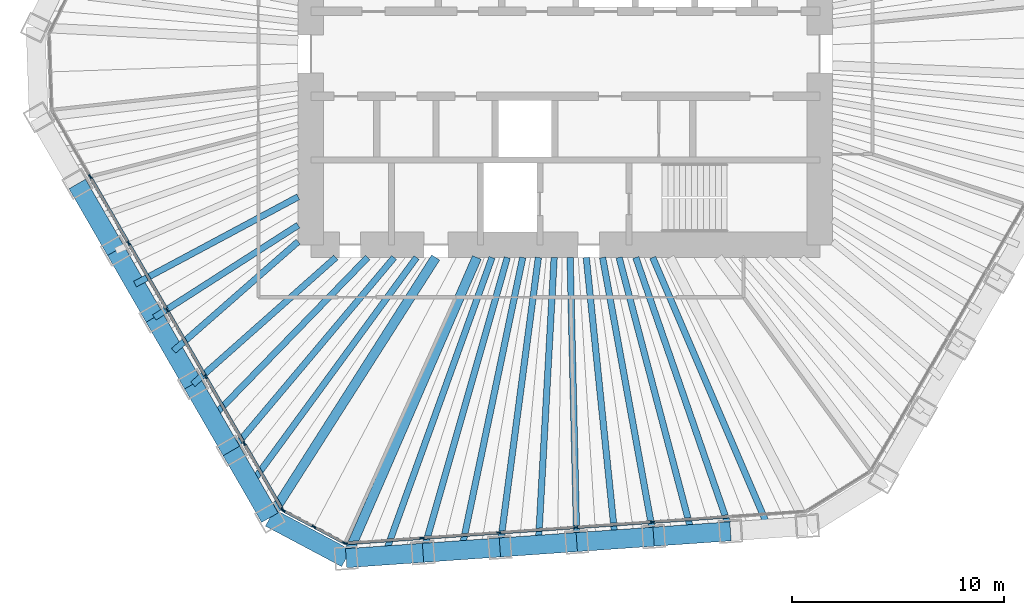
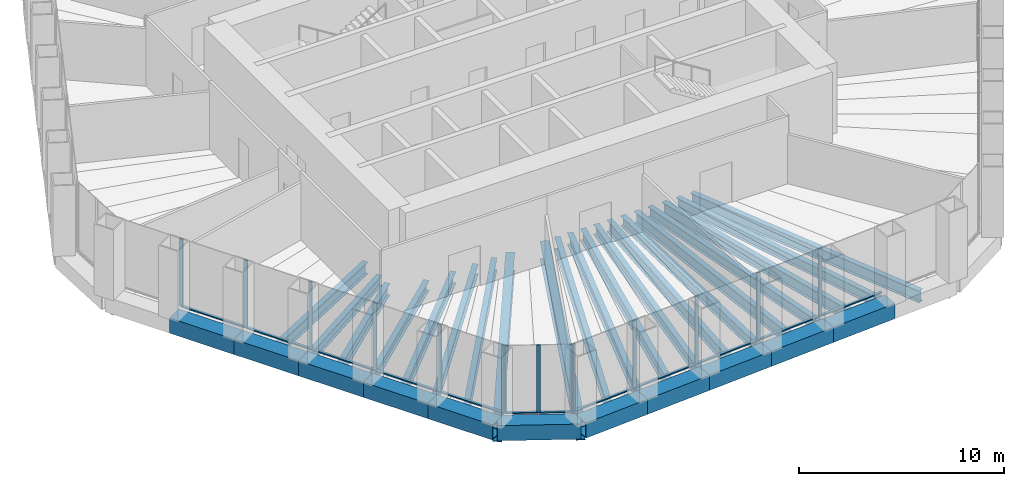
# One storey, part 2 of 14: 31 beams, 26 members, 3 elements without a shape of their own.
"""IFC4 building model written with IfcOpenShell, lengths in metres."""

from ifc_helpers import new_model, si_unit, direction, frame, origin, origin_2d, place, context, subcontext, project, spatial, rectangle, hollow_rectangle, i_section, extrude, material, material_profile, profile_set, type_object, element, aggregate, save


model = new_model("IFC4")

# Units and contexts
model_context = context("Model", 3, precision=1e-05, world=origin(), true_north=direction((0.0, 1.0)))
body_context = subcontext(model_context, "Body", "Model", "MODEL_VIEW")
ifc_project = project(units=[si_unit("LENGTHUNIT", "METRE"), si_unit("AREAUNIT", "SQUARE_METRE"), si_unit("VOLUMEUNIT", "CUBIC_METRE"), si_unit("PLANEANGLEUNIT", "RADIAN"), si_unit("MASSUNIT", "GRAM", prefix="KILO")], contexts=[model_context])

# Site, building, storey
site_placement = place(None, origin())
site = spatial("IfcSite", under=ifc_project, at=site_placement, CompositionType="ELEMENT")
building_placement = place(site_placement, origin())
building = spatial("IfcBuilding", under=site, at=building_placement, Name="Qingtian Harvest Tower", CompositionType="ELEMENT")
storey_placement = place(building_placement, frame((0.0, 0.0, 201.39990234375)))
storey = spatial("IfcBuildingStorey", under=building, at=storey_placement, Name="L43", CompositionType="ELEMENT", Elevation=201.39990234375)

# Beams
ifc_material_1 = material(Name="Steel SM570MC", Category="steel")
ifc_material_profile_1 = material_profile(ifc_material_1, i_section(OverallWidth=0.449951171875, OverallDepth=1.10009765625, WebThickness=0.02197265625, FlangeThickness=0.044921875, at=origin_2d()), Name="H1100x450x22x45")
ifc_profile_set_1 = profile_set([ifc_material_profile_1], Name="Steel SM570MC")
beam_type_1 = type_object("IfcBeamType", Name="Corner floor beam FB8 H1100x450x22x45", PredefinedType="BEAM", material=ifc_profile_set_1)
beam_1_placement = place(storey_placement, frame((-10.33837890625, -23.779052734375, -0.719970703125), z_axis=(0.398714563353, 0.917075077063, 0.0), x_axis=(-0.917075077063, 0.398714563353, 0.0)))
element("IfcBeam", 1, at=beam_1_placement, inside=storey, type_object=beam_type_1, Name="Floor beam FB8 S6", PredefinedType="BEAM", context=body_context, shape_type="SweptSolid", body=[
    extrude(i_section(OverallWidth=0.449951171875, OverallDepth=1.10009765625, WebThickness=0.02197265625, FlangeThickness=0.044921875, at=origin_2d()), origin(), (0.0, 0.0, 1.0), 15.461181640625),
])
beam_2_placement = place(storey_placement, frame((-13.9326171875, -21.8681640625, -0.719970703125), z_axis=(0.537326103898, 0.8433745657, 0.0), x_axis=(-0.8433745657, 0.537326103898, 0.0)))
element("IfcBeam", 2, at=beam_2_placement, inside=storey, type_object=beam_type_1, Name="Floor beam FB8 SW0", PredefinedType="BEAM", context=body_context, shape_type="SweptSolid", body=[
    extrude(i_section(OverallWidth=0.449951171875, OverallDepth=1.10009765625, WebThickness=0.02197265625, FlangeThickness=0.044921875, at=origin_2d()), origin(), (0.0, 0.0, 1.0), 14.54638671875),
])
ifc_material_2 = material(Name="Steel SN490B", Category="steel")
ifc_material_profile_2 = material_profile(ifc_material_2, i_section(OverallWidth=0.300048828125, OverallDepth=0.699951171875, WebThickness=0.012939453125, FlangeThickness=0.02392578125, at=origin_2d()), Name="H700x300x13x24")
ifc_profile_set_2 = profile_set([ifc_material_profile_2], Name="Steel SN490B")
beam_type_2 = type_object("IfcBeamType", Name="Floor beam FB2 H700x300x13x24", PredefinedType="BEAM", material=ifc_profile_set_2)
beam_3_placement = place(storey_placement, frame((-6.713623046875, -23.525634765625, -0.52001953125), z_axis=(0.274411610503, 0.961612327303, 0.0), x_axis=(-0.961612327303, 0.274411610503, 0.0)))
element("IfcBeam", 3, at=beam_3_placement, inside=storey, type_object=beam_type_2, Name="Floor beam FB2 S5", PredefinedType="BEAM", context=body_context, shape_type="SweptSolid", body=[
    extrude(i_section(OverallWidth=0.300048828125, OverallDepth=0.699951171875, WebThickness=0.012939453125, FlangeThickness=0.02392578125, at=origin_2d()), origin(), (0.0, 0.0, 1.0), 14.4814453125),
])
ifc_material_3 = material(Name="Steel SN490B", Category="steel")
ifc_material_profile_3 = material_profile(ifc_material_3, i_section(OverallWidth=0.300048828125, OverallDepth=0.60009765625, WebThickness=0.011962890625, FlangeThickness=0.02001953125, at=origin_2d()), Name="H600x300x12x20")
ifc_profile_set_3 = profile_set([ifc_material_profile_3], Name="Steel SN490B")
beam_type_3 = type_object("IfcBeamType", Name="Floor beam FB3 H600x300x12x20", PredefinedType="BEAM", material=ifc_profile_set_3)
beam_4_placement = place(storey_placement, frame((7.78515625, -22.51171875, -0.469970703125), z_axis=(-0.326844175409, 0.945078242793, 0.0), x_axis=(-0.945078242793, -0.326844175409, 0.0)))
element("IfcBeam", 4, at=beam_4_placement, inside=storey, type_object=beam_type_3, Name="Floor beam FB3 S1", PredefinedType="BEAM", context=body_context, shape_type="SweptSolid", body=[
    extrude(i_section(OverallWidth=0.300048828125, OverallDepth=0.60009765625, WebThickness=0.011962890625, FlangeThickness=0.02001953125, at=origin_2d()), origin(), (0.0, 0.0, 1.0), 13.661865234375),
])
beam_5_placement = place(storey_placement, frame((4.160400390625, -22.76513671875, -0.469970703125), z_axis=(-0.179779537209, 0.983706926885, 0.0), x_axis=(-0.983706926885, -0.179779537209, 0.0)))
element("IfcBeam", 5, at=beam_5_placement, inside=storey, type_object=beam_type_3, Name="Floor beam FB3 S2", PredefinedType="BEAM", context=body_context, shape_type="SweptSolid", body=[
    extrude(i_section(OverallWidth=0.300048828125, OverallDepth=0.60009765625, WebThickness=0.011962890625, FlangeThickness=0.02001953125, at=origin_2d()), origin(), (0.0, 0.0, 1.0), 13.383056640625),
])
beam_6_placement = place(storey_placement, frame((0.53564453125, -23.018798828125, -0.469970703125), z_axis=(-0.023263902078, 0.999729358807, 0.0), x_axis=(-0.999729358807, -0.023263902078, 0.0)))
element("IfcBeam", 6, at=beam_6_placement, inside=storey, type_object=beam_type_3, Name="Floor beam FB3 S3", PredefinedType="BEAM", context=body_context, shape_type="SweptSolid", body=[
    extrude(i_section(OverallWidth=0.300048828125, OverallDepth=0.60009765625, WebThickness=0.011962890625, FlangeThickness=0.02001953125, at=origin_2d()), origin(), (0.0, 0.0, 1.0), 13.42236328125),
])
beam_7_placement = place(storey_placement, frame((-3.089111328125, -23.272216796875, -0.469970703125), z_axis=(0.131593229442, 0.991303799027, 0.0), x_axis=(-0.991303799027, 0.131593229442, 0.0)))
element("IfcBeam", 7, at=beam_7_placement, inside=storey, type_object=beam_type_3, Name="Floor beam FB3 S4", PredefinedType="BEAM", context=body_context, shape_type="SweptSolid", body=[
    extrude(i_section(OverallWidth=0.300048828125, OverallDepth=0.60009765625, WebThickness=0.011962890625, FlangeThickness=0.02001953125, at=origin_2d()), origin(), (0.0, 0.0, 1.0), 13.7919921875),
])
beam_8_placement = place(storey_placement, frame((-15.749267578125, -18.72119140625, -0.469970703125), z_axis=(0.643763532906, 0.765224485821, 0.0), x_axis=(-0.765224485821, 0.643763532906, 0.0)))
element("IfcBeam", 8, at=beam_8_placement, inside=storey, type_object=beam_type_3, Name="Floor beam FB3 SW1", PredefinedType="BEAM", context=body_context, shape_type="SweptSolid", body=[
    extrude(i_section(OverallWidth=0.300048828125, OverallDepth=0.60009765625, WebThickness=0.011962890625, FlangeThickness=0.02001953125, at=origin_2d()), origin(), (0.0, 0.0, 1.0), 11.91943359375),
])
beam_9_placement = place(storey_placement, frame((-17.566162109375, -15.574462890625, -0.469970703125), z_axis=(0.748259768664, 0.663405847577, 0.0), x_axis=(-0.663405847577, 0.748259768664, 0.0)))
element("IfcBeam", 9, at=beam_9_placement, inside=storey, type_object=beam_type_3, Name="Floor beam FB3 SW2", PredefinedType="BEAM", context=body_context, shape_type="SweptSolid", body=[
    extrude(i_section(OverallWidth=0.300048828125, OverallDepth=0.60009765625, WebThickness=0.011962890625, FlangeThickness=0.02001953125, at=origin_2d()), origin(), (0.0, 0.0, 1.0), 9.005615234375),
])
beam_10_placement = place(storey_placement, frame((-19.3828125, -12.427734375, -0.469970703125), z_axis=(0.841823714388, 0.539752567288, 0.0), x_axis=(-0.539752567288, 0.841823714388, 0.0)))
element("IfcBeam", 10, at=beam_10_placement, inside=storey, type_object=beam_type_3, Name="Floor beam FB3 SW3", PredefinedType="BEAM", context=body_context, shape_type="SweptSolid", body=[
    extrude(i_section(OverallWidth=0.300048828125, OverallDepth=0.60009765625, WebThickness=0.011962890625, FlangeThickness=0.02001953125, at=origin_2d()), origin(), (0.0, 0.0, 1.0), 8.05712890625),
])
ifc_material_4 = material(Name="Steel SN490B", Category="steel")
ifc_material_profile_4 = material_profile(ifc_material_4, i_section(OverallWidth=0.300048828125, OverallDepth=0.699951171875, WebThickness=0.012939453125, FlangeThickness=0.02392578125, at=origin_2d()), Name="H700x300x13x24")
ifc_profile_set_4 = profile_set([ifc_material_profile_4], Name="Steel SN490B")
beam_type_4 = type_object("IfcBeamType", Name="Floor joist J2 H700x300x13x24", PredefinedType="JOIST", material=ifc_profile_set_4)
beam_11_placement = place(storey_placement, frame((9.597412109375, -22.385009765625, -0.52001953125), z_axis=(-0.394052741766, 0.919087828614, 0.0), x_axis=(-0.919087828614, -0.394052741766, 0.0)))
element("IfcBeam", 11, at=beam_11_placement, inside=storey, type_object=beam_type_4, Name="Floor joist J2 S0", PredefinedType="JOIST", context=body_context, shape_type="SweptSolid", body=[
    extrude(i_section(OverallWidth=0.300048828125, OverallDepth=0.699951171875, WebThickness=0.012939453125, FlangeThickness=0.02392578125, at=origin_2d()), origin(), (0.0, 0.0, 1.0), 13.910400390625),
])
beam_12_placement = place(storey_placement, frame((5.97265625, -22.638427734375, -0.52001953125), z_axis=(-0.255103716232, 0.9669136952, 0.0), x_axis=(-0.9669136952, -0.255103716232, 0.0)))
element("IfcBeam", 12, at=beam_12_placement, inside=storey, type_object=beam_type_4, Name="Floor joist J2 S1", PredefinedType="JOIST", context=body_context, shape_type="SweptSolid", body=[
    extrude(i_section(OverallWidth=0.300048828125, OverallDepth=0.699951171875, WebThickness=0.012939453125, FlangeThickness=0.02392578125, at=origin_2d()), origin(), (0.0, 0.0, 1.0), 13.484375),
])
beam_13_placement = place(storey_placement, frame((2.347900390625, -22.89208984375, -0.52001953125), z_axis=(-0.102028865499, 0.994781438611, 0.0), x_axis=(-0.994781438611, -0.102028865499, 0.0)))
element("IfcBeam", 13, at=beam_13_placement, inside=storey, type_object=beam_type_4, Name="Floor joist J2 S2", PredefinedType="JOIST", context=body_context, shape_type="SweptSolid", body=[
    extrude(i_section(OverallWidth=0.300048828125, OverallDepth=0.699951171875, WebThickness=0.012939453125, FlangeThickness=0.02392578125, at=origin_2d()), origin(), (0.0, 0.0, 1.0), 13.36181640625),
])
beam_14_placement = place(storey_placement, frame((-1.276611328125, -23.1455078125, -0.52001953125), z_axis=(0.055069329716, 0.998482533109, 0.0), x_axis=(-0.998482533109, 0.055069329716, 0.0)))
element("IfcBeam", 14, at=beam_14_placement, inside=storey, type_object=beam_type_4, Name="Floor joist J2 S3", PredefinedType="JOIST", context=body_context, shape_type="SweptSolid", body=[
    extrude(i_section(OverallWidth=0.300048828125, OverallDepth=0.699951171875, WebThickness=0.012939453125, FlangeThickness=0.02392578125, at=origin_2d()), origin(), (0.0, 0.0, 1.0), 13.56591796875),
])
beam_15_placement = place(storey_placement, frame((-4.9013671875, -23.39892578125, -0.52001953125), z_axis=(0.205016322093, 0.978758554331, 0.0), x_axis=(-0.978758554331, 0.205016322093, 0.0)))
element("IfcBeam", 15, at=beam_15_placement, inside=storey, type_object=beam_type_4, Name="Floor joist J2 S4", PredefinedType="JOIST", context=body_context, shape_type="SweptSolid", body=[
    extrude(i_section(OverallWidth=0.300048828125, OverallDepth=0.699951171875, WebThickness=0.012939453125, FlangeThickness=0.02392578125, at=origin_2d()), origin(), (0.0, 0.0, 1.0), 14.098388671875),
])
beam_16_placement = place(storey_placement, frame((-8.526123046875, -23.65234375, -0.52001953125), z_axis=(0.339126305921, 0.940740850943, 0.0), x_axis=(-0.940740850943, 0.339126305921, 0.0)))
element("IfcBeam", 16, at=beam_16_placement, inside=storey, type_object=beam_type_4, Name="Floor joist J2 S5", PredefinedType="JOIST", context=body_context, shape_type="SweptSolid", body=[
    extrude(i_section(OverallWidth=0.300048828125, OverallDepth=0.699951171875, WebThickness=0.012939453125, FlangeThickness=0.02392578125, at=origin_2d()), origin(), (0.0, 0.0, 1.0), 14.9375),
])
beam_17_placement = place(storey_placement, frame((-14.841064453125, -20.294677734375, -0.52001953125), z_axis=(0.590288677526, 0.807192218238, 0.0), x_axis=(-0.807192218238, 0.590288677526, 0.0)))
element("IfcBeam", 17, at=beam_17_placement, inside=storey, type_object=beam_type_4, Name="Floor joist J2 SW0", PredefinedType="JOIST", context=body_context, shape_type="SweptSolid", body=[
    extrude(i_section(OverallWidth=0.300048828125, OverallDepth=0.699951171875, WebThickness=0.012939453125, FlangeThickness=0.02392578125, at=origin_2d()), origin(), (0.0, 0.0, 1.0), 13.2490234375),
])
beam_18_placement = place(storey_placement, frame((-16.65771484375, -17.14794921875, -0.52001953125), z_axis=(0.696777499009, 0.717287332158, 0.0), x_axis=(-0.717287332158, 0.696777499009, 0.0)))
element("IfcBeam", 18, at=beam_18_placement, inside=storey, type_object=beam_type_4, Name="Floor joist J2 SW1", PredefinedType="JOIST", context=body_context, shape_type="SweptSolid", body=[
    extrude(i_section(OverallWidth=0.300048828125, OverallDepth=0.699951171875, WebThickness=0.012939453125, FlangeThickness=0.02392578125, at=origin_2d()), origin(), (0.0, 0.0, 1.0), 10.522705078125),
])
beam_19_placement = place(storey_placement, frame((-18.474609375, -14.001220703125, -0.52001953125), z_axis=(0.751883296969, 0.659296221542, 0.0), x_axis=(-0.659296221542, 0.751883296969, 0.0)))
element("IfcBeam", 19, at=beam_19_placement, inside=storey, type_object=beam_type_4, Name="Floor joist J2 SW2", PredefinedType="JOIST", context=body_context, shape_type="SweptSolid", body=[
    extrude(i_section(OverallWidth=0.300048828125, OverallDepth=0.699951171875, WebThickness=0.012939453125, FlangeThickness=0.02392578125, at=origin_2d()), origin(), (0.0, 0.0, 1.0), 7.81298828125),
])
beam_20_placement = place(storey_placement, frame((-20.291259765625, -10.8544921875, -0.52001953125), z_axis=(0.881766503154, 0.471686160402, 0.0), x_axis=(-0.471686160402, 0.881766503154, 0.0)))
element("IfcBeam", 20, at=beam_20_placement, inside=storey, type_object=beam_type_4, Name="Floor joist J2 SW3", PredefinedType="JOIST", context=body_context, shape_type="SweptSolid", body=[
    extrude(i_section(OverallWidth=0.300048828125, OverallDepth=0.699951171875, WebThickness=0.012939453125, FlangeThickness=0.02392578125, at=origin_2d()), origin(), (0.0, 0.0, 1.0), 8.722412109375),
])

# Curtain wall, members
ifc_material_5 = material(Name="Bronze-anodised aluminium curtain wall", Category="aluminium")
curtain_wall_type = type_object("IfcCurtainWallType", Name="Curtain wall CW4 office", PredefinedType="USERDEFINED", material=ifc_material_5)
curtain_wall_1_placement = place(storey_placement, origin())
curtain_wall_1 = element("IfcCurtainWall", 21, at=curtain_wall_1_placement, inside=storey, type_object=curtain_wall_type, Name="Curtain wall CW4 L43 S0-5", ObjectType="RECESSED CURTAIN WALL", PredefinedType="USERDEFINED")
ifc_material_6 = material(Name="Bronze-anodised aluminium mullion", Category="aluminium")
ifc_material_profile_5 = material_profile(ifc_material_6, rectangle(XDim=0.06494140625, YDim=0.199951171875, at=origin_2d()), Name="AL 65x200")
ifc_profile_set_5 = profile_set([ifc_material_profile_5], Name="Bronze-anodised aluminium mullion")
member_type_1 = type_object("IfcMemberType", Name="Mullion CWM 65x200", PredefinedType="MULLION", material=ifc_profile_set_5)
member_1_placement = place(storey_placement, frame((4.111572265625, -22.06689453125, 0.0), z_axis=(0.0, 0.0, 1.0), x_axis=(0.069756473744, -0.99756405026, 0.0)))
member_1 = element("IfcMember", 22, at=member_1_placement, type_object=member_type_1, Name="CW4 mullion 3", PredefinedType="MULLION", context=body_context, shape_type="SweptSolid", body=[
    extrude(rectangle(XDim=0.06494140625, YDim=0.199951171875, at=origin_2d()), origin(), (0.0, 0.0, 1.0), 4.030029296875),
])
member_2_placement = place(storey_placement, frame((0.48681640625, -22.3203125, 0.0), z_axis=(0.0, 0.0, 1.0), x_axis=(0.069756473744, -0.99756405026, 0.0)))
member_2 = element("IfcMember", 23, at=member_2_placement, type_object=member_type_1, Name="CW4 mullion 4", PredefinedType="MULLION", context=body_context, shape_type="SweptSolid", body=[
    extrude(rectangle(XDim=0.06494140625, YDim=0.199951171875, at=origin_2d()), origin(), (0.0, 0.0, 1.0), 4.030029296875),
])
member_3_placement = place(storey_placement, frame((-3.137939453125, -22.573974609375, 0.0), z_axis=(0.0, 0.0, 1.0), x_axis=(0.069756473744, -0.99756405026, 0.0)))
member_3 = element("IfcMember", 24, at=member_3_placement, type_object=member_type_1, Name="CW4 mullion 5", PredefinedType="MULLION", context=body_context, shape_type="SweptSolid", body=[
    extrude(rectangle(XDim=0.06494140625, YDim=0.199951171875, at=origin_2d()), origin(), (0.0, 0.0, 1.0), 4.030029296875),
])
member_4_placement = place(storey_placement, frame((-6.762451171875, -22.827392578125, 0.0), z_axis=(0.0, 0.0, 1.0), x_axis=(0.069756473744, -0.99756405026, 0.0)))
member_4 = element("IfcMember", 25, at=member_4_placement, type_object=member_type_1, Name="CW4 mullion 6", PredefinedType="MULLION", context=body_context, shape_type="SweptSolid", body=[
    extrude(rectangle(XDim=0.06494140625, YDim=0.199951171875, at=origin_2d()), origin(), (0.0, 0.0, 1.0), 4.030029296875),
])
member_5_placement = place(storey_placement, frame((-10.354736328125, -23.07861328125, 0.0), z_axis=(0.0, 0.0, 1.0), x_axis=(0.069756473744, -0.99756405026, 0.0)))
member_5 = element("IfcMember", 26, at=member_5_placement, type_object=member_type_1, Name="CW4 mullion 7", PredefinedType="MULLION", context=body_context, shape_type="SweptSolid", body=[
    extrude(rectangle(XDim=0.06494140625, YDim=0.199951171875, at=origin_2d()), origin(), (0.0, 0.0, 1.0), 4.030029296875),
])

curtain_wall_2_placement = place(storey_placement, origin())
curtain_wall_2 = element("IfcCurtainWall", 27, at=curtain_wall_2_placement, inside=storey, type_object=curtain_wall_type, Name="Curtain wall CW4 L43 SC", ObjectType="RECESSED CURTAIN WALL", PredefinedType="USERDEFINED")
member_6_placement = place(storey_placement, frame((-10.416015625, -23.0654296875, 0.0), z_axis=(0.0, 0.0, 1.0), x_axis=(-0.469471562786, -0.882947592859, 0.0)))
member_6 = element("IfcMember", 28, at=member_6_placement, type_object=member_type_1, Name="CW4 mullion 1", PredefinedType="MULLION", context=body_context, shape_type="SweptSolid", body=[
    extrude(rectangle(XDim=0.06494140625, YDim=0.199951171875, at=origin_2d()), origin(), (0.0, 0.0, 1.0), 4.030029296875),
])
member_7_placement = place(storey_placement, frame((-11.85693359375, -22.29931640625, 0.0), z_axis=(0.0, 0.0, 1.0), x_axis=(-0.469471562786, -0.882947592859, 0.0)))
member_7 = element("IfcMember", 29, at=member_7_placement, type_object=member_type_1, Name="CW4 mullion 2", PredefinedType="MULLION", context=body_context, shape_type="SweptSolid", body=[
    extrude(rectangle(XDim=0.06494140625, YDim=0.199951171875, at=origin_2d()), origin(), (0.0, 0.0, 1.0), 4.030029296875),
])
member_8_placement = place(storey_placement, frame((-13.297607421875, -21.533203125, 0.0), z_axis=(0.0, 0.0, 1.0), x_axis=(-0.469471562786, -0.882947592859, 0.0)))
member_8 = element("IfcMember", 30, at=member_8_placement, type_object=member_type_1, Name="CW4 mullion 3", PredefinedType="MULLION", context=body_context, shape_type="SweptSolid", body=[
    extrude(rectangle(XDim=0.06494140625, YDim=0.199951171875, at=origin_2d()), origin(), (0.0, 0.0, 1.0), 4.030029296875),
])

curtain_wall_3_placement = place(storey_placement, origin())
curtain_wall_3 = element("IfcCurtainWall", 31, at=curtain_wall_3_placement, inside=storey, type_object=curtain_wall_type, Name="Curtain wall CW4 L43 SW0-5", ObjectType="RECESSED CURTAIN WALL", PredefinedType="USERDEFINED")
member_9_placement = place(storey_placement, frame((-13.342529296875, -21.489990234375, 0.0), z_axis=(0.0, 0.0, 1.0), x_axis=(-0.866025403784, -0.5, 0.0)))
member_9 = element("IfcMember", 32, at=member_9_placement, type_object=member_type_1, Name="CW4 mullion 1", PredefinedType="MULLION", context=body_context, shape_type="SweptSolid", body=[
    extrude(rectangle(XDim=0.06494140625, YDim=0.199951171875, at=origin_2d()), origin(), (0.0, 0.0, 1.0), 4.030029296875),
])
member_10_placement = place(storey_placement, frame((-15.14306640625, -18.371337890625, 0.0), z_axis=(0.0, 0.0, 1.0), x_axis=(-0.866025403784, -0.5, 0.0)))
member_10 = element("IfcMember", 33, at=member_10_placement, type_object=member_type_1, Name="CW4 mullion 2", PredefinedType="MULLION", context=body_context, shape_type="SweptSolid", body=[
    extrude(rectangle(XDim=0.06494140625, YDim=0.199951171875, at=origin_2d()), origin(), (0.0, 0.0, 1.0), 4.030029296875),
])
member_11_placement = place(storey_placement, frame((-16.9599609375, -15.224609375, 0.0), z_axis=(0.0, 0.0, 1.0), x_axis=(-0.866025403784, -0.5, 0.0)))
member_11 = element("IfcMember", 34, at=member_11_placement, type_object=member_type_1, Name="CW4 mullion 3", PredefinedType="MULLION", context=body_context, shape_type="SweptSolid", body=[
    extrude(rectangle(XDim=0.06494140625, YDim=0.199951171875, at=origin_2d()), origin(), (0.0, 0.0, 1.0), 4.030029296875),
])
member_12_placement = place(storey_placement, frame((-18.776611328125, -12.077880859375, 0.0), z_axis=(0.0, 0.0, 1.0), x_axis=(-0.866025403784, -0.5, 0.0)))
member_12 = element("IfcMember", 35, at=member_12_placement, type_object=member_type_1, Name="CW4 mullion 4", PredefinedType="MULLION", context=body_context, shape_type="SweptSolid", body=[
    extrude(rectangle(XDim=0.06494140625, YDim=0.199951171875, at=origin_2d()), origin(), (0.0, 0.0, 1.0), 4.030029296875),
])
member_13_placement = place(storey_placement, frame((-20.593505859375, -8.93115234375, 0.0), z_axis=(0.0, 0.0, 1.0), x_axis=(-0.866025403784, -0.5, 0.0)))
member_13 = element("IfcMember", 36, at=member_13_placement, type_object=member_type_1, Name="CW4 mullion 5", PredefinedType="MULLION", context=body_context, shape_type="SweptSolid", body=[
    extrude(rectangle(XDim=0.06494140625, YDim=0.199951171875, at=origin_2d()), origin(), (0.0, 0.0, 1.0), 4.030029296875),
])
member_14_placement = place(storey_placement, frame((-22.41015625, -5.784423828125, 0.0), z_axis=(0.0, 0.0, 1.0), x_axis=(-0.866025403784, -0.5, 0.0)))
member_14 = element("IfcMember", 37, at=member_14_placement, type_object=member_type_1, Name="CW4 mullion 6", PredefinedType="MULLION", context=body_context, shape_type="SweptSolid", body=[
    extrude(rectangle(XDim=0.06494140625, YDim=0.199951171875, at=origin_2d()), origin(), (0.0, 0.0, 1.0), 4.030029296875),
])

# Beams
ifc_material_7 = material(Name="Steel SM570MC", Category="steel")
ifc_material_profile_6 = material_profile(ifc_material_7, hollow_rectangle(XDim=0.89990234375, YDim=0.89990234375, WallThickness=0.050048828125, at=origin_2d()), Name="BOX900x900x50")
ifc_profile_set_6 = profile_set([ifc_material_profile_6], Name="Steel SM570MC")
beam_type_5 = type_object("IfcBeamType", Name="Transition spandrel SB6 BOX900x900x50", PredefinedType="SPANDREL", material=ifc_profile_set_6)
for number, where, z_axis, x_axis, name in (
    (38, (7.78515625, -22.51171875, -0.449951171875), (-0.997565001055, -0.069742875402, 0.0), (0.069742875402, -0.997565001055, 0.0), "Spandrel SB6 S1"),
    (39, (4.160400390625, -22.76513671875, -0.449951171875), (-0.997560324246, -0.069809737785, 0.0), (0.069809737785, -0.997560324246, 0.0), "Spandrel SB6 S2"),
    (40, (0.53564453125, -23.018798828125, -0.449951171875), (-0.997565001055, -0.069742875402, 0.0), (0.069742875402, -0.997565001055, 0.0), "Spandrel SB6 S3"),
):
    element("IfcBeam", number, at=place(storey_placement, frame(where, z_axis=z_axis, x_axis=x_axis)), inside=storey, type_object=beam_type_5, Name=name, PredefinedType="SPANDREL", context=body_context, shape_type="SweptSolid", body=[
        extrude(hollow_rectangle(XDim=0.89990234375, YDim=0.89990234375, WallThickness=0.050048828125, at=origin_2d()), origin(), (0.0, 0.0, 1.0), 3.633544921875),
    ])
beam_21_placement = place(storey_placement, frame((-3.089111328125, -23.272216796875, -0.449951171875), z_axis=(-0.997564674207, -0.069747550305, 0.0), x_axis=(0.069747550305, -0.997564674207, 0.0)))
element("IfcBeam", 41, at=beam_21_placement, inside=storey, type_object=beam_type_5, Name="Spandrel SB6 S4", PredefinedType="SPANDREL", context=body_context, shape_type="SweptSolid", body=[
    extrude(hollow_rectangle(XDim=0.89990234375, YDim=0.89990234375, WallThickness=0.050048828125, at=origin_2d()), origin(), (0.0, 0.0, 1.0), 3.63330078125),
])
beam_22_placement = place(storey_placement, frame((-6.713623046875, -23.525634765625, -0.449951171875), z_axis=(-0.997565001055, -0.069742875402, 0.0), x_axis=(0.069742875402, -0.997565001055, 0.0)))
element("IfcBeam", 42, at=beam_22_placement, inside=storey, type_object=beam_type_5, Name="Spandrel SB6 S5", PredefinedType="SPANDREL", context=body_context, shape_type="SweptSolid", body=[
    extrude(hollow_rectangle(XDim=0.89990234375, YDim=0.89990234375, WallThickness=0.050048828125, at=origin_2d()), origin(), (0.0, 0.0, 1.0), 3.633544921875),
])
beam_23_placement = place(storey_placement, frame((-10.33837890625, -23.779052734375, -0.449951171875), z_axis=(-0.882968133669, 0.469432929101, 0.0), x_axis=(-0.469432929101, -0.882968133669, 0.0)))
element("IfcBeam", 43, at=beam_23_placement, inside=storey, type_object=beam_type_5, Name="Spandrel SB6 SC", PredefinedType="SPANDREL", context=body_context, shape_type="SweptSolid", body=[
    extrude(hollow_rectangle(XDim=0.89990234375, YDim=0.89990234375, WallThickness=0.050048828125, at=origin_2d()), origin(), (0.0, 0.0, 1.0), 4.070556640625),
])
beam_24_placement = place(storey_placement, frame((-13.9326171875, -21.8681640625, -0.449951171875), z_axis=(-0.499947341849, 0.866055803848, 0.0), x_axis=(-0.866055803848, -0.499947341849, 0.0)))
element("IfcBeam", 44, at=beam_24_placement, inside=storey, type_object=beam_type_5, Name="Spandrel SB6 SW0", PredefinedType="SPANDREL", context=body_context, shape_type="SweptSolid", body=[
    extrude(hollow_rectangle(XDim=0.89990234375, YDim=0.89990234375, WallThickness=0.050048828125, at=origin_2d()), origin(), (0.0, 0.0, 1.0), 3.6337890625),
])
for number, where, z_axis, x_axis, name in (
    (45, (-15.749267578125, -18.72119140625, -0.449951171875), (-0.500026827678, 0.866009914263, 0.0), (-0.866009914263, -0.500026827678, 0.0), "Spandrel SB6 SW1"),
    (46, (-17.566162109375, -15.574462890625, -0.449951171875), (-0.499976434558, 0.866039008871, 0.0), (-0.866039008871, -0.499976434558, 0.0), "Spandrel SB6 SW2"),
    (47, (-19.3828125, -12.427734375, -0.449951171875), (-0.500026827678, 0.866009914263, 0.0), (-0.866009914263, -0.500026827678, 0.0), "Spandrel SB6 SW3"),
    (48, (-21.19970703125, -9.281005859375, -0.449951171875), (-0.499976434558, 0.866039008871, 0.0), (-0.866039008871, -0.499976434558, 0.0), "Spandrel SB6 SW4"),
):
    element("IfcBeam", number, at=place(storey_placement, frame(where, z_axis=z_axis, x_axis=x_axis)), inside=storey, type_object=beam_type_5, Name=name, PredefinedType="SPANDREL", context=body_context, shape_type="SweptSolid", body=[
        extrude(hollow_rectangle(XDim=0.89990234375, YDim=0.89990234375, WallThickness=0.050048828125, at=origin_2d()), origin(), (0.0, 0.0, 1.0), 3.633544921875),
    ])

# Member
ifc_material_8 = material(Name="Bronze-anodised aluminium transom", Category="aluminium")
ifc_material_profile_7 = material_profile(ifc_material_8, rectangle(XDim=0.14990234375, YDim=0.06494140625, at=origin_2d()), Name="AL 65x150")
ifc_profile_set_7 = profile_set([ifc_material_profile_7], Name="Bronze-anodised aluminium transom")
member_type_2 = type_object("IfcMemberType", Name="Transom CWT 65x150", PredefinedType="USERDEFINED", material=ifc_profile_set_7)
member_15_placement = place(storey_placement, frame((7.703857421875, -21.815673828125, 0.03271484375), z_axis=(-0.997562159126, -0.069783512949, 0.0), x_axis=(0.069783512949, -0.997562159126, 0.0)))
member_15 = element("IfcMember", 49, at=member_15_placement, type_object=member_type_2, Name="CW4 transom 2.1", ObjectType="TRANSOM", PredefinedType="USERDEFINED", context=body_context, shape_type="SweptSolid", body=[
    extrude(rectangle(XDim=0.14990234375, YDim=0.06494140625, at=origin_2d()), origin(), (0.0, 0.0, 1.0), 3.568603515625),
])

member_16_placement = place(storey_placement, frame((4.0791015625, -22.0693359375, 0.03271484375), z_axis=(-0.99756691944, -0.069715430417, 0.0), x_axis=(0.069715430417, -0.99756691944, 0.0)))
member_16 = element("IfcMember", 50, at=member_16_placement, type_object=member_type_2, Name="CW4 transom 3.1", ObjectType="TRANSOM", PredefinedType="USERDEFINED", context=body_context, shape_type="SweptSolid", body=[
    extrude(rectangle(XDim=0.14990234375, YDim=0.06494140625, at=origin_2d()), origin(), (0.0, 0.0, 1.0), 3.568603515625),
])

member_17_placement = place(storey_placement, frame((0.454345703125, -22.32275390625, 0.03271484375), z_axis=(-0.99756691944, -0.069715430417, 0.0), x_axis=(0.069715430417, -0.99756691944, 0.0)))
member_17 = element("IfcMember", 51, at=member_17_placement, type_object=member_type_2, Name="CW4 transom 4.1", ObjectType="TRANSOM", PredefinedType="USERDEFINED", context=body_context, shape_type="SweptSolid", body=[
    extrude(rectangle(XDim=0.14990234375, YDim=0.06494140625, at=origin_2d()), origin(), (0.0, 0.0, 1.0), 3.568603515625),
])

member_18_placement = place(storey_placement, frame((-3.170166015625, -22.576171875, 0.03271484375), z_axis=(-0.997567251922, -0.069710672727, 0.0), x_axis=(0.069710672727, -0.997567251922, 0.0)))
member_18 = element("IfcMember", 52, at=member_18_placement, type_object=member_type_2, Name="CW4 transom 5.1", ObjectType="TRANSOM", PredefinedType="USERDEFINED", context=body_context, shape_type="SweptSolid", body=[
    extrude(rectangle(XDim=0.14990234375, YDim=0.06494140625, at=origin_2d()), origin(), (0.0, 0.0, 1.0), 3.56884765625),
])

member_19_placement = place(storey_placement, frame((-6.794921875, -22.82958984375, 0.03271484375), z_axis=(-0.997565839557, -0.069730880888, 0.0), x_axis=(0.069730880888, -0.997565839557, 0.0)))
member_19 = element("IfcMember", 53, at=member_19_placement, type_object=member_type_2, Name="CW4 transom 6.1", ObjectType="TRANSOM", PredefinedType="USERDEFINED", context=body_context, shape_type="SweptSolid", body=[
    extrude(rectangle(XDim=0.14990234375, YDim=0.06494140625, at=origin_2d()), origin(), (0.0, 0.0, 1.0), 3.5361328125),
])

aggregate(curtain_wall_1, [member_1, member_2, member_3, member_4, member_5, member_15, member_16, member_17, member_18, member_19])

member_20_placement = place(storey_placement, frame((-10.444580078125, -23.05029296875, 0.03271484375), z_axis=(-0.882960338349, 0.46944759122, 0.0), x_axis=(-0.46944759122, -0.882960338349, 0.0)))
member_20 = element("IfcMember", 54, at=member_20_placement, type_object=member_type_2, Name="CW4 transom 1.1", ObjectType="TRANSOM", PredefinedType="USERDEFINED", context=body_context, shape_type="SweptSolid", body=[
    extrude(rectangle(XDim=0.14990234375, YDim=0.06494140625, at=origin_2d()), origin(), (0.0, 0.0, 1.0), 1.56689453125),
])

member_21_placement = place(storey_placement, frame((-11.885498046875, -22.2841796875, 0.03271484375), z_axis=(-0.882960338349, 0.46944759122, 0.0), x_axis=(-0.46944759122, -0.882960338349, 0.0)))
member_21 = element("IfcMember", 55, at=member_21_placement, type_object=member_type_2, Name="CW4 transom 2.1", ObjectType="TRANSOM", PredefinedType="USERDEFINED", context=body_context, shape_type="SweptSolid", body=[
    extrude(rectangle(XDim=0.14990234375, YDim=0.06494140625, at=origin_2d()), origin(), (0.0, 0.0, 1.0), 1.56689453125),
])

aggregate(curtain_wall_2, [member_6, member_7, member_8, member_20, member_21])

member_22_placement = place(storey_placement, frame((-13.35888671875, -21.461669921875, 0.03271484375), z_axis=(-0.500015305566, 0.866016566931, 0.0), x_axis=(-0.866016566931, -0.500015305566, 0.0)))
member_22 = element("IfcMember", 56, at=member_22_placement, type_object=member_type_2, Name="CW4 transom 1.1", ObjectType="TRANSOM", PredefinedType="USERDEFINED", context=body_context, shape_type="SweptSolid", body=[
    extrude(rectangle(XDim=0.14990234375, YDim=0.06494140625, at=origin_2d()), origin(), (0.0, 0.0, 1.0), 3.5361328125),
])

member_23_placement = place(storey_placement, frame((-15.159423828125, -18.34326171875, 0.03271484375), z_axis=(-0.499965259726, 0.866045460162, 0.0), x_axis=(-0.866045460162, -0.499965259726, 0.0)))
member_23 = element("IfcMember", 57, at=member_23_placement, type_object=member_type_2, Name="CW4 transom 2.1", ObjectType="TRANSOM", PredefinedType="USERDEFINED", context=body_context, shape_type="SweptSolid", body=[
    extrude(rectangle(XDim=0.14990234375, YDim=0.06494140625, at=origin_2d()), origin(), (0.0, 0.0, 1.0), 3.568603515625),
])

member_24_placement = place(storey_placement, frame((-16.97607421875, -15.1962890625, 0.03271484375), z_axis=(-0.500046194516, 0.865998731726, 0.0), x_axis=(-0.865998731726, -0.500046194516, 0.0)))
member_24 = element("IfcMember", 58, at=member_24_placement, type_object=member_type_2, Name="CW4 transom 3.1", ObjectType="TRANSOM", PredefinedType="USERDEFINED", context=body_context, shape_type="SweptSolid", body=[
    extrude(rectangle(XDim=0.14990234375, YDim=0.06494140625, at=origin_2d()), origin(), (0.0, 0.0, 1.0), 3.568603515625),
])

member_25_placement = place(storey_placement, frame((-18.79296875, -12.049560546875, 0.03271484375), z_axis=(-0.499994883695, 0.866028357664, 0.0), x_axis=(-0.866028357664, -0.499994883695, 0.0)))
member_25 = element("IfcMember", 59, at=member_25_placement, type_object=member_type_2, Name="CW4 transom 4.1", ObjectType="TRANSOM", PredefinedType="USERDEFINED", context=body_context, shape_type="SweptSolid", body=[
    extrude(rectangle(XDim=0.14990234375, YDim=0.06494140625, at=origin_2d()), origin(), (0.0, 0.0, 1.0), 3.568359375),
])

member_26_placement = place(storey_placement, frame((-20.609619140625, -8.90283203125, 0.03271484375), z_axis=(-0.500046194516, 0.865998731726, 0.0), x_axis=(-0.865998731726, -0.500046194516, 0.0)))
member_26 = element("IfcMember", 60, at=member_26_placement, type_object=member_type_2, Name="CW4 transom 5.1", ObjectType="TRANSOM", PredefinedType="USERDEFINED", context=body_context, shape_type="SweptSolid", body=[
    extrude(rectangle(XDim=0.14990234375, YDim=0.06494140625, at=origin_2d()), origin(), (0.0, 0.0, 1.0), 3.568603515625),
])

aggregate(curtain_wall_3, [member_9, member_10, member_11, member_12, member_13, member_14, member_22, member_23, member_24, member_25, member_26])

save(model, "model.ifc")
